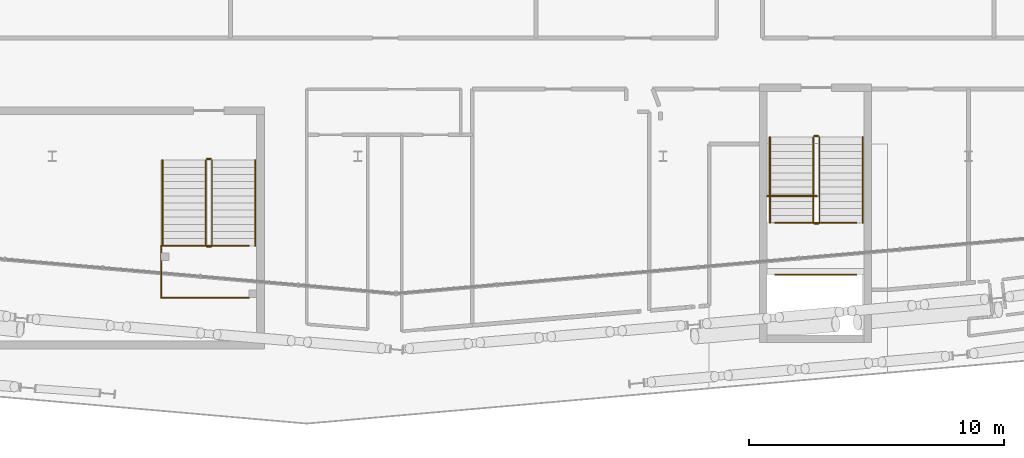
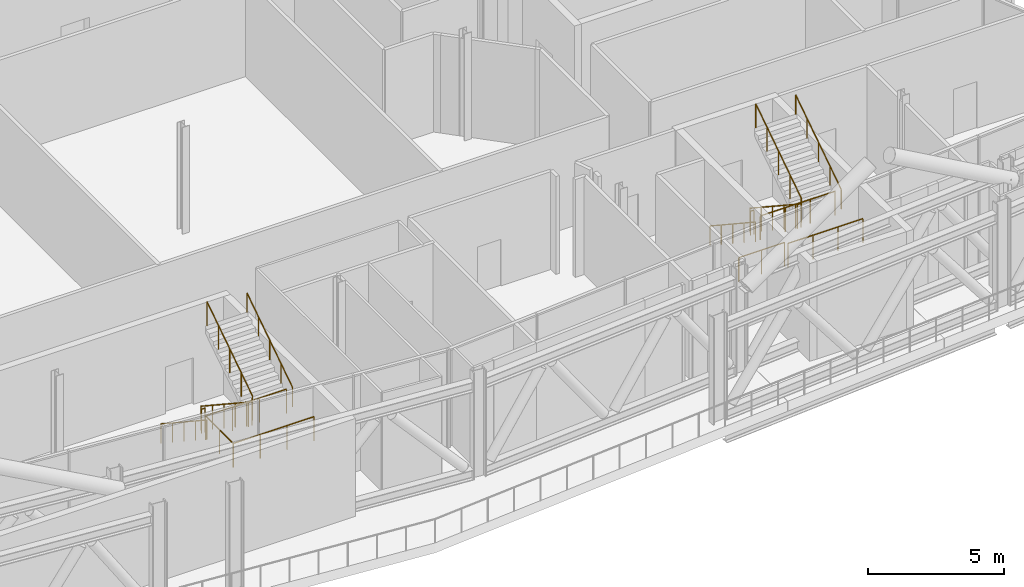
# One storey, part 31 of 35: 14 railings.
"""IFC4 building model written with IfcOpenShell, lengths in metres."""

import ifcopenshell
import ifcopenshell.guid

model = None  # the IFC model being written
_history = None  # IfcOwnerHistory: only IFC2X3 demands one
_inside = {}  # id of a spatial element -> (the spatial element, [elements in it])
_under = {}  # id of a project, library or spatial element -> (it, [spatial elements below it])
_declared = {}  # id of a project -> (the project, [libraries it declares])
_typed = {}  # id of a type object -> (the type object, [elements of that type])
_made_of = {}  # id of a material, layer set ... -> (it, [elements and type objects made of it])


def new_model(schema):
    """Start an empty IFC model of exactly this schema.

    Asked for "IFC4X3", IfcOpenShell would pick the latest addendum, in which some entities
    have other attributes; the version numbers below select the first issue.
    IFC2X3 requires an IfcOwnerHistory on every rooted entity: one is made here for all.
    """
    global model, _history
    if schema == "IFC4X3":
        model = ifcopenshell.file(schema_version=(4, 3, 0, 0))
    else:
        model = ifcopenshell.file(schema=schema)
    _inside.clear()
    _under.clear()
    _declared.clear()
    _typed.clear()
    _made_of.clear()
    _history = None
    if model.schema == "IFC2X3":
        org = make("IfcOrganization", Name="unknown")
        user = make(
            "IfcPersonAndOrganization",
            ThePerson=make("IfcPerson", FamilyName="unknown"),
            TheOrganization=org,
        )
        app = make(
            "IfcApplication",
            ApplicationDeveloper=org,
            Version="unknown",
            ApplicationFullName="unknown",
            ApplicationIdentifier="unknown",
        )
        _history = make(
            "IfcOwnerHistory",
            OwningUser=user,
            OwningApplication=app,
            ChangeAction="ADDED",
            CreationDate=0,
        )
    return model


def make(cls, **values):
    """One entity of the class cls with the attributes given. An attribute that is None is left unset."""
    return model.create_entity(
        cls, **{name: value for name, value in values.items() if value is not None}
    )


def rooted(cls, **values):
    """An entity with a GlobalId (a new one), such as an element, a storey or a relation."""
    return make(cls, GlobalId=ifcopenshell.guid.new(), OwnerHistory=_history, **values)


def si_unit(unit_type, name, prefix=None):
    """IfcSIUnit, for example si_unit("LENGTHUNIT", "METRE", prefix="MILLI")."""
    return make("IfcSIUnit", UnitType=unit_type, Prefix=prefix, Name=name)


def assignment(units):
    """IfcUnitAssignment: the units of a project."""
    return None if units is None else make("IfcUnitAssignment", Units=units)


def point(xyz):
    """IfcCartesianPoint."""
    return None if xyz is None else make("IfcCartesianPoint", Coordinates=xyz)


def direction(xyz):
    """IfcDirection."""
    return None if xyz is None else make("IfcDirection", DirectionRatios=xyz)


def frame(location, z_axis=None, x_axis=None):
    """IfcAxis2Placement3D, a coordinate frame: its origin and axes. An axis left out is left unset."""
    return make(
        "IfcAxis2Placement3D",
        Location=point(location),
        Axis=direction(z_axis),
        RefDirection=direction(x_axis),
    )


def frame_2d(location, x_axis=None):
    """IfcAxis2Placement2D, a coordinate frame in the plane: its origin and x axis."""
    return make(
        "IfcAxis2Placement2D", Location=point(location), RefDirection=direction(x_axis)
    )


def origin():
    """The frame at (0, 0, 0) with its axes left unset."""
    return frame((0.0, 0.0, 0.0))


def origin_2d():
    """The frame at (0, 0) in the plane with its x axis left unset."""
    return frame_2d((0.0, 0.0))


def place(relative_to, where):
    """IfcLocalPlacement: puts the frame where relative to a parent placement (None: the world)."""
    return make(
        "IfcLocalPlacement", PlacementRelTo=relative_to, RelativePlacement=where
    )


def context(
    kind, dimensions, precision=None, world=None, true_north=None, identifier=None
):
    """IfcGeometricRepresentationContext, for example the 3D "Model" context."""
    return make(
        "IfcGeometricRepresentationContext",
        ContextIdentifier=identifier,
        ContextType=kind,
        CoordinateSpaceDimension=dimensions,
        Precision=precision,
        WorldCoordinateSystem=world,
        TrueNorth=true_north,
    )


def subcontext(parent, identifier, kind, view, scale=None):
    """IfcGeometricRepresentationSubContext, for example "Body" below "Model"."""
    return make(
        "IfcGeometricRepresentationSubContext",
        ContextIdentifier=identifier,
        ContextType=kind,
        ParentContext=parent,
        TargetScale=scale,
        TargetView=view,
    )


def project(units=None, contexts=None):
    """IfcProject with its units and contexts."""
    return rooted(
        "IfcProject",
        Name="project",
        RepresentationContexts=contexts,
        UnitsInContext=assignment(units),
    )


def spatial(cls, under=None, at=None, **own):
    """A site, building, storey or space (cls), placed at a placement, below another one or the project."""
    s = rooted(cls, ObjectPlacement=at, **own)
    if under is not None:
        _under.setdefault(under.id(), (under, []))[1].append(s)
    return s


def profile(cls, at=None, kind="AREA", **sizes):
    """A parametric profile (cls). Its sizes go by their IFC names, for example OverallWidth=200.0."""
    return make(cls, ProfileType=kind, Position=at, **sizes)


def circle(**sizes):
    """IfcCircleProfileDef."""
    return profile("IfcCircleProfileDef", **sizes)


def extrude(swept, where, along, depth):
    """IfcExtrudedAreaSolid: the profile swept, set in the frame where, extruded along a direction by depth."""
    return make(
        "IfcExtrudedAreaSolid",
        SweptArea=swept,
        Position=where,
        ExtrudedDirection=direction(along),
        Depth=depth,
    )


def shape(context_of_items, identifier, shape_type, items):
    """IfcShapeRepresentation: the items that make up one representation, for example the "Body"."""
    return make(
        "IfcShapeRepresentation",
        ContextOfItems=context_of_items,
        RepresentationIdentifier=identifier,
        RepresentationType=shape_type,
        Items=items,
    )


def material(Name=None, Category=None):
    """IfcMaterial."""
    return make("IfcMaterial", Name=Name, Category=Category)


def made_of(thing, what):
    """Note that an element or type object is made of a material, layer set ...; save() writes the relation."""
    if what is not None:
        _made_of.setdefault(what.id(), (what, []))[1].append(thing)
    return thing


def type_object(cls, material=None, **own):
    """A type object (cls), such as IfcWallType, which elements share."""
    return made_of(rooted(cls, **own), material)


def element(
    cls,
    number,
    at=None,
    inside=None,
    cuts=None,
    type_object=None,
    material=None,
    context=None,
    identifier="Body",
    shape_type=None,
    held_by="IfcProductDefinitionShape",
    body=None,
    shapes=None,
    **own,
):
    """One element of the class cls, such as IfcWall. Its Tag is "e" and its number.

    at: its placement. inside: the storey or other place that contains it. cuts: it is an
    opening in that element (IfcRelVoidsElement). A single representation is given by context,
    identifier, shape_type and body (its items); several are given by shapes. held_by: the class
    of the entity that holds the representations. save() writes the other relations.
    """
    e = rooted(cls, Tag="e%d" % number, ObjectPlacement=at, **own)
    if body is not None:
        shapes = [shape(context, identifier, shape_type, body)]
    if shapes is not None:
        e.Representation = make(held_by, Representations=shapes)
    if inside is not None:
        _inside.setdefault(inside.id(), (inside, []))[1].append(e)
    if cuts is not None:
        rooted(
            "IfcRelVoidsElement", RelatingBuildingElement=cuts, RelatedOpeningElement=e
        )
    if type_object is not None:
        _typed.setdefault(type_object.id(), (type_object, []))[1].append(e)
    return made_of(e, material)


def aggregate(whole, parts):
    """IfcRelAggregates: a whole, such as a stair, and the parts it consists of."""
    return rooted("IfcRelAggregates", RelatingObject=whole, RelatedObjects=parts)


def save(model, path):
    """Write the relations noted so far, then the file.

    IfcRelAggregates (storeys below a building ...), IfcRelContainedInSpatialStructure (elements
    in a storey), IfcRelDefinesByType, IfcRelAssociatesMaterial and IfcRelDeclares: one each for
    every whole, place, type object, material and project.
    """
    for whole, parts in _under.values():
        aggregate(whole, parts)
    for where, things in _inside.values():
        rooted(
            "IfcRelContainedInSpatialStructure",
            RelatedElements=things,
            RelatingStructure=where,
        )
    for kind, things in _typed.values():
        rooted("IfcRelDefinesByType", RelatedObjects=things, RelatingType=kind)
    for what, things in _made_of.values():
        rooted("IfcRelAssociatesMaterial", RelatedObjects=things, RelatingMaterial=what)
    for by, libraries in _declared.values():
        rooted("IfcRelDeclares", RelatingContext=by, RelatedDefinitions=libraries)
    model.write(path)


model = new_model("IFC4")

# Units and contexts
model_context = context("Model", 3, precision=1e-05, world=origin(), true_north=direction((0.0, 1.0)))
body_context = subcontext(model_context, "Body", "Model", "MODEL_VIEW")
ifc_project = project(units=[si_unit("LENGTHUNIT", "METRE"), si_unit("AREAUNIT", "SQUARE_METRE"), si_unit("VOLUMEUNIT", "CUBIC_METRE"), si_unit("PLANEANGLEUNIT", "RADIAN"), si_unit("MASSUNIT", "GRAM", prefix="KILO")], contexts=[model_context])

# Site, building, storey
site_placement = place(None, origin())
site = spatial("IfcSite", under=ifc_project, at=site_placement, CompositionType="ELEMENT")
building_placement = place(site_placement, origin())
building = spatial("IfcBuilding", under=site, at=building_placement, Name="Wharfspan Tower", CompositionType="ELEMENT")
storey_placement = place(building_placement, frame((0.0, 0.0, 202.300049)))
storey = spatial("IfcBuildingStorey", under=building, at=storey_placement, Name="L50", CompositionType="ELEMENT", Elevation=202.300049)

# Railings
ifc_material = material(Name="Steel S355J2", Category="steel")
railing_type_1 = type_object("IfcRailingType", Name="Stair guard 1100", PredefinedType="GUARDRAIL", material=ifc_material)
railing_1_placement = place(storey_placement, frame((40.2771, 7.983154, 2.399902)))
element("IfcRailing", 1, at=railing_1_placement, inside=storey, type_object=railing_type_1, Name="L50 ST4 band guard 1", PredefinedType="GUARDRAIL", context=body_context, shape_type="SweptSolid", body=[
    extrude(circle(Radius=0.023926, at=origin_2d()), frame((0.0, 0.0, 1.076172), z_axis=(0.0, -1.0, 0.0), x_axis=(1.0, 0.0, 0.0)), (0.0, 0.0, 1.0), 2.040039),
    extrude(circle(Radius=0.020996, at=origin_2d()), origin(), (0.0, 0.0, 1.0), 1.052002),
    extrude(circle(Radius=0.020996, at=origin_2d()), frame((0.0, -1.02002, 0.0)), (0.0, 0.0, 1.0), 1.052002),
    extrude(circle(Radius=0.020996, at=origin_2d()), frame((0.0, -2.040039, 0.0)), (0.0, 0.0, 1.0), 1.052002),
])
railing_2_placement = place(storey_placement, frame((40.2771, 5.943115, 2.399902)))
element("IfcRailing", 2, at=railing_2_placement, inside=storey, type_object=railing_type_1, Name="L50 ST4 band guard 2", PredefinedType="GUARDRAIL", context=body_context, shape_type="SweptSolid", body=[
    extrude(circle(Radius=0.023926, at=origin_2d()), frame((0.0, 0.0, 1.076172), z_axis=(1.0, 0.0, 0.0), x_axis=(0.0, 1.0, 0.0)), (0.0, 0.0, 1.0), 3.439941),
    extrude(circle(Radius=0.020996, at=origin_2d()), origin(), (0.0, 0.0, 1.0), 1.052002),
    extrude(circle(Radius=0.020996, at=origin_2d()), frame((1.146729, 0.0, 0.0)), (0.0, 0.0, 1.0), 1.052002),
    extrude(circle(Radius=0.020996, at=origin_2d()), frame((2.293213, 0.0, 0.0)), (0.0, 0.0, 1.0), 1.052002),
    extrude(circle(Radius=0.020996, at=origin_2d()), frame((3.439941, 0.0, 0.0)), (0.0, 0.0, 1.0), 1.052002),
])
railing_3_placement = place(storey_placement, frame((43.717041, 7.983154, 2.399902)))
element("IfcRailing", 3, at=railing_3_placement, inside=storey, type_object=railing_type_1, Name="L50 ST4 band guard 3", PredefinedType="GUARDRAIL", context=body_context, shape_type="SweptSolid", body=[
    extrude(circle(Radius=0.023926, at=origin_2d()), frame((0.0, 0.0, 1.076172), z_axis=(-1.0, 0.0, 0.0), x_axis=(0.0, -1.0, 0.0)), (0.0, 0.0, 1.0), 3.439941),
    extrude(circle(Radius=0.020996, at=origin_2d()), origin(), (0.0, 0.0, 1.0), 1.052002),
    extrude(circle(Radius=0.020996, at=origin_2d()), frame((-1.146729, 0.0, 0.0)), (0.0, 0.0, 1.0), 1.052002),
    extrude(circle(Radius=0.020996, at=origin_2d()), frame((-2.293213, 0.0, 0.0)), (0.0, 0.0, 1.0), 1.052002),
    extrude(circle(Radius=0.020996, at=origin_2d()), frame((-3.439941, 0.0, 0.0)), (0.0, 0.0, 1.0), 1.052002),
])
railing_4_placement = place(storey_placement, frame((64.396484, 6.846191, 2.399902)))
element("IfcRailing", 4, at=railing_4_placement, inside=storey, type_object=railing_type_1, Name="L50 ST5 band guard 1", PredefinedType="GUARDRAIL", context=body_context, shape_type="SweptSolid", body=[
    extrude(circle(Radius=0.023926, at=origin_2d()), frame((0.0, 0.0, 1.076172), z_axis=(1.0, 0.0, 0.0), x_axis=(0.0, 1.0, 0.0)), (0.0, 0.0, 1.0), 3.187256),
    extrude(circle(Radius=0.020996, at=origin_2d()), origin(), (0.0, 0.0, 1.0), 1.052002),
    extrude(circle(Radius=0.020996, at=origin_2d()), frame((1.0625, 0.0, 0.0)), (0.0, 0.0, 1.0), 1.052002),
    extrude(circle(Radius=0.020996, at=origin_2d()), frame((2.124756, 0.0, 0.0)), (0.0, 0.0, 1.0), 1.052002),
    extrude(circle(Radius=0.020996, at=origin_2d()), frame((3.187256, 0.0, 0.0)), (0.0, 0.0, 1.0), 1.052002),
])
railing_5_placement = place(storey_placement, frame((67.58374, 8.88623, 2.399902)))
element("IfcRailing", 5, at=railing_5_placement, inside=storey, type_object=railing_type_1, Name="L50 ST5 band guard 2", PredefinedType="GUARDRAIL", context=body_context, shape_type="SweptSolid", body=[
    extrude(circle(Radius=0.023926, at=origin_2d()), frame((0.0, 0.0, 1.076172), z_axis=(-1.0, 0.0, 0.0), x_axis=(0.0, -1.0, 0.0)), (0.0, 0.0, 1.0), 3.187256),
    extrude(circle(Radius=0.020996, at=origin_2d()), origin(), (0.0, 0.0, 1.0), 1.052002),
    extrude(circle(Radius=0.020996, at=origin_2d()), frame((-1.0625, 0.0, 0.0)), (0.0, 0.0, 1.0), 1.052002),
    extrude(circle(Radius=0.020996, at=origin_2d()), frame((-2.124756, 0.0, 0.0)), (0.0, 0.0, 1.0), 1.052002),
    extrude(circle(Radius=0.020996, at=origin_2d()), frame((-3.187256, 0.0, 0.0)), (0.0, 0.0, 1.0), 1.052002),
])
railing_6_placement = place(storey_placement, frame((64.086426, 9.933594, 0.0)))
element("IfcRailing", 6, at=railing_6_placement, inside=storey, type_object=railing_type_1, Name="L50 ST5 top well guard 1", PredefinedType="GUARDRAIL", context=body_context, shape_type="SweptSolid", body=[
    extrude(circle(Radius=0.023926, at=origin_2d()), frame((0.0, 0.0, 1.076172), z_axis=(1.0, 0.0, 0.0), x_axis=(0.0, 1.0, 0.0)), (0.0, 0.0, 1.0), 1.949951),
    extrude(circle(Radius=0.020996, at=origin_2d()), origin(), (0.0, 0.0, 1.0), 1.052002),
    extrude(circle(Radius=0.020996, at=origin_2d()), frame((0.975098, 0.0, 0.0)), (0.0, 0.0, 1.0), 1.052002),
    extrude(circle(Radius=0.020996, at=origin_2d()), frame((1.949951, 0.0, 0.0)), (0.0, 0.0, 1.0), 1.052002),
])
railing_7_placement = place(storey_placement, frame((42.0271, 11.343262, 0.18457)))
element("IfcRailing", 7, at=railing_7_placement, inside=storey, type_object=railing_type_1, Name="L50 ST4 stair guard 1", PredefinedType="GUARDRAIL", context=body_context, shape_type="SweptSolid", body=[
    extrude(circle(Radius=0.023926, at=origin_2d()), frame((0.0, 0.0, 1.076172), z_axis=(0.0, -0.834876, 0.550437), x_axis=(1.0, 0.0, 0.0)), (0.0, 0.0, 1.0), 4.024658),
    extrude(circle(Radius=0.023926, at=origin_2d()), frame((0.0, -3.360107, 3.291504), z_axis=(0.707107, -0.707107, 0.0), x_axis=(0.707107, 0.707107, 0.0)), (0.0, 0.0, 1.0), 0.070801),
    extrude(circle(Radius=0.023926, at=origin_2d()), frame((0.050049, -3.410156, 3.291504), z_axis=(1.0, 0.0, 0.0), x_axis=(0.0, 1.0, 0.0)), (0.0, 0.0, 1.0), 0.149902),
    extrude(circle(Radius=0.023926, at=origin_2d()), frame((0.199951, -3.410156, 3.291504), z_axis=(0.253186, 0.253186, 0.933699), x_axis=(-0.707107, 0.707107, 0.0)), (0.0, 0.0, 1.0), 0.197754),
    extrude(circle(Radius=0.023926, at=origin_2d()), frame((0.25, -3.360107, 3.476074), z_axis=(0.0, 0.834849, 0.55048), x_axis=(-1.0, 0.0, 0.0)), (0.0, 0.0, 1.0), 4.024902),
    extrude(circle(Radius=0.020996, at=origin_2d()), origin(), (0.0, 0.0, 1.0), 1.052002),
    extrude(circle(Radius=0.020996, at=origin_2d()), frame((0.0, -0.840088, 0.553711)), (0.0, 0.0, 1.0), 1.052002),
    extrude(circle(Radius=0.020996, at=origin_2d()), frame((0.0, -1.680176, 1.107666)), (0.0, 0.0, 1.0), 1.052002),
    extrude(circle(Radius=0.020996, at=origin_2d()), frame((0.0, -2.52002, 1.661621)), (0.0, 0.0, 1.0), 1.052002),
    extrude(circle(Radius=0.020996, at=origin_2d()), frame((0.0, -3.360107, 2.215332)), (0.0, 0.0, 1.0), 1.052002),
    extrude(circle(Radius=0.020996, at=origin_2d()), frame((0.050049, -3.410156, 2.215332)), (0.0, 0.0, 1.0), 1.052002),
    extrude(circle(Radius=0.020996, at=origin_2d()), frame((0.199951, -3.410156, 2.215332)), (0.0, 0.0, 1.0), 1.052002),
    extrude(circle(Radius=0.020996, at=origin_2d()), frame((0.25, -3.360107, 2.399902)), (0.0, 0.0, 1.0), 1.052002),
    extrude(circle(Radius=0.020996, at=origin_2d()), frame((0.25, -2.52002, 2.953857)), (0.0, 0.0, 1.0), 1.052002),
    extrude(circle(Radius=0.020996, at=origin_2d()), frame((0.25, -1.680176, 3.507812)), (0.0, 0.0, 1.0), 1.052002),
    extrude(circle(Radius=0.020996, at=origin_2d()), frame((0.25, -0.840088, 4.061523)), (0.0, 0.0, 1.0), 1.052002),
    extrude(circle(Radius=0.020996, at=origin_2d()), frame((0.25, 0.0, 4.615479)), (0.0, 0.0, 1.0), 1.052002),
])
railing_8_placement = place(storey_placement, frame((42.077148, 11.393311, 0.0)))
element("IfcRailing", 8, at=railing_8_placement, inside=storey, type_object=railing_type_1, Name="L50 ST4 stair guard 2", PredefinedType="GUARDRAIL", context=body_context, shape_type="SweptSolid", body=[
    extrude(circle(Radius=0.023926, at=origin_2d()), frame((0.0, 0.0, 1.076172), z_axis=(1.0, 0.0, 0.0), x_axis=(0.0, 1.0, 0.0)), (0.0, 0.0, 1.0), 0.149902),
    extrude(circle(Radius=0.020996, at=origin_2d()), origin(), (0.0, 0.0, 1.0), 1.052002),
    extrude(circle(Radius=0.020996, at=origin_2d()), frame((0.149902, 0.0, 0.0)), (0.0, 0.0, 1.0), 1.052002),
])
railing_9_placement = place(storey_placement, frame((65.893799, 12.246094, 0.18457)))
element("IfcRailing", 9, at=railing_9_placement, inside=storey, type_object=railing_type_1, Name="L50 ST5 stair guard 1", PredefinedType="GUARDRAIL", context=body_context, shape_type="SweptSolid", body=[
    extrude(circle(Radius=0.023926, at=origin_2d()), frame((0.0, 0.0, 1.076172), z_axis=(0.0, -0.834858, 0.550465), x_axis=(1.0, 0.0, 0.0)), (0.0, 0.0, 1.0), 4.024414),
    extrude(circle(Radius=0.023926, at=origin_2d()), frame((0.0, -3.359863, 3.291504), z_axis=(0.707107, -0.707107, 0.0), x_axis=(0.707107, 0.707107, 0.0)), (0.0, 0.0, 1.0), 0.070801),
    extrude(circle(Radius=0.023926, at=origin_2d()), frame((0.050049, -3.409912, 3.291504), z_axis=(1.0, 0.0, 0.0), x_axis=(0.0, 1.0, 0.0)), (0.0, 0.0, 1.0), 0.149902),
    extrude(circle(Radius=0.023926, at=origin_2d()), frame((0.199951, -3.409912, 3.291504), z_axis=(0.253186, 0.253186, 0.933699), x_axis=(-0.707107, 0.707107, 0.0)), (0.0, 0.0, 1.0), 0.197754),
    extrude(circle(Radius=0.023926, at=origin_2d()), frame((0.25, -3.359863, 3.476074), z_axis=(0.0, 0.83483, 0.550508), x_axis=(-1.0, 0.0, 0.0)), (0.0, 0.0, 1.0), 4.024658),
    extrude(circle(Radius=0.020996, at=origin_2d()), origin(), (0.0, 0.0, 1.0), 1.052002),
    extrude(circle(Radius=0.020996, at=origin_2d()), frame((0.0, -0.839844, 0.553711)), (0.0, 0.0, 1.0), 1.052002),
    extrude(circle(Radius=0.020996, at=origin_2d()), frame((0.0, -1.679932, 1.107666)), (0.0, 0.0, 1.0), 1.052002),
    extrude(circle(Radius=0.020996, at=origin_2d()), frame((0.0, -2.52002, 1.661621)), (0.0, 0.0, 1.0), 1.052002),
    extrude(circle(Radius=0.020996, at=origin_2d()), frame((0.0, -3.359863, 2.215332)), (0.0, 0.0, 1.0), 1.052002),
    extrude(circle(Radius=0.020996, at=origin_2d()), frame((0.050049, -3.409912, 2.215332)), (0.0, 0.0, 1.0), 1.052002),
    extrude(circle(Radius=0.020996, at=origin_2d()), frame((0.199951, -3.409912, 2.215332)), (0.0, 0.0, 1.0), 1.052002),
    extrude(circle(Radius=0.020996, at=origin_2d()), frame((0.25, -3.359863, 2.399902)), (0.0, 0.0, 1.0), 1.052002),
    extrude(circle(Radius=0.020996, at=origin_2d()), frame((0.25, -2.52002, 2.953857)), (0.0, 0.0, 1.0), 1.052002),
    extrude(circle(Radius=0.020996, at=origin_2d()), frame((0.25, -1.679932, 3.507812)), (0.0, 0.0, 1.0), 1.052002),
    extrude(circle(Radius=0.020996, at=origin_2d()), frame((0.25, -0.839844, 4.061523)), (0.0, 0.0, 1.0), 1.052002),
    extrude(circle(Radius=0.020996, at=origin_2d()), frame((0.25, 0.0, 4.615479)), (0.0, 0.0, 1.0), 1.052002),
])
railing_10_placement = place(storey_placement, frame((65.943848, 12.296143, 0.0)))
element("IfcRailing", 10, at=railing_10_placement, inside=storey, type_object=railing_type_1, Name="L50 ST5 stair guard 2", PredefinedType="GUARDRAIL", context=body_context, shape_type="SweptSolid", body=[
    extrude(circle(Radius=0.023926, at=origin_2d()), frame((0.0, 0.0, 1.076172), z_axis=(1.0, 0.0, 0.0), x_axis=(0.0, 1.0, 0.0)), (0.0, 0.0, 1.0), 0.149902),
    extrude(circle(Radius=0.020996, at=origin_2d()), origin(), (0.0, 0.0, 1.0), 1.052002),
    extrude(circle(Radius=0.020996, at=origin_2d()), frame((0.149902, 0.0, 0.0)), (0.0, 0.0, 1.0), 1.052002),
])
railing_type_2 = type_object("IfcRailingType", Name="Stair handrail 900", PredefinedType="HANDRAIL", material=ifc_material)
railing_11_placement = place(storey_placement, frame((40.327148, 11.343262, 0.18457)))
element("IfcRailing", 11, at=railing_11_placement, inside=storey, type_object=railing_type_2, Name="L50 ST4 stair handrail 1", PredefinedType="HANDRAIL", context=body_context, shape_type="SweptSolid", body=[
    extrude(circle(Radius=0.023926, at=origin_2d()), frame((0.0, 0.0, 0.875977), z_axis=(0.0, -0.834876, 0.550437), x_axis=(1.0, 0.0, 0.0)), (0.0, 0.0, 1.0), 4.024658),
    extrude(circle(Radius=0.020996, at=origin_2d()), origin(), (0.0, 0.0, 1.0), 0.851807),
    extrude(circle(Radius=0.020996, at=origin_2d()), frame((0.0, -0.840088, 0.553711)), (0.0, 0.0, 1.0), 0.851807),
    extrude(circle(Radius=0.020996, at=origin_2d()), frame((0.0, -1.680176, 1.107666)), (0.0, 0.0, 1.0), 0.851807),
    extrude(circle(Radius=0.020996, at=origin_2d()), frame((0.0, -2.52002, 1.661621)), (0.0, 0.0, 1.0), 0.851807),
    extrude(circle(Radius=0.020996, at=origin_2d()), frame((0.0, -3.360107, 2.215332)), (0.0, 0.0, 1.0), 0.851807),
])
railing_12_placement = place(storey_placement, frame((43.977051, 7.983154, 2.584473)))
element("IfcRailing", 12, at=railing_12_placement, inside=storey, type_object=railing_type_2, Name="L50 ST4 stair handrail 2", PredefinedType="HANDRAIL", context=body_context, shape_type="SweptSolid", body=[
    extrude(circle(Radius=0.023926, at=origin_2d()), frame((0.0, 0.0, 0.875977), z_axis=(0.0, 0.834849, 0.55048), x_axis=(-1.0, 0.0, 0.0)), (0.0, 0.0, 1.0), 4.024902),
    extrude(circle(Radius=0.020996, at=origin_2d()), origin(), (0.0, 0.0, 1.0), 0.851807),
    extrude(circle(Radius=0.020996, at=origin_2d()), frame((0.0, 0.840088, 0.553955)), (0.0, 0.0, 1.0), 0.851807),
    extrude(circle(Radius=0.020996, at=origin_2d()), frame((0.0, 1.680176, 1.10791)), (0.0, 0.0, 1.0), 0.851807),
    extrude(circle(Radius=0.020996, at=origin_2d()), frame((0.0, 2.52002, 1.661621)), (0.0, 0.0, 1.0), 0.851807),
    extrude(circle(Radius=0.020996, at=origin_2d()), frame((0.0, 3.360107, 2.215576)), (0.0, 0.0, 1.0), 0.851807),
])
railing_13_placement = place(storey_placement, frame((64.193848, 12.246094, 0.18457)))
element("IfcRailing", 13, at=railing_13_placement, inside=storey, type_object=railing_type_2, Name="L50 ST5 stair handrail 1", PredefinedType="HANDRAIL", context=body_context, shape_type="SweptSolid", body=[
    extrude(circle(Radius=0.023926, at=origin_2d()), frame((0.0, 0.0, 0.875977), z_axis=(0.0, -0.834858, 0.550465), x_axis=(1.0, 0.0, 0.0)), (0.0, 0.0, 1.0), 4.024414),
    extrude(circle(Radius=0.020996, at=origin_2d()), origin(), (0.0, 0.0, 1.0), 0.851807),
    extrude(circle(Radius=0.020996, at=origin_2d()), frame((0.0, -0.839844, 0.553711)), (0.0, 0.0, 1.0), 0.851807),
    extrude(circle(Radius=0.020996, at=origin_2d()), frame((0.0, -1.679932, 1.107666)), (0.0, 0.0, 1.0), 0.851807),
    extrude(circle(Radius=0.020996, at=origin_2d()), frame((0.0, -2.52002, 1.661621)), (0.0, 0.0, 1.0), 0.851807),
    extrude(circle(Radius=0.020996, at=origin_2d()), frame((0.0, -3.359863, 2.215332)), (0.0, 0.0, 1.0), 0.851807),
])
railing_14_placement = place(storey_placement, frame((67.84375, 8.88623, 2.584473)))
element("IfcRailing", 14, at=railing_14_placement, inside=storey, type_object=railing_type_2, Name="L50 ST5 stair handrail 2", PredefinedType="HANDRAIL", context=body_context, shape_type="SweptSolid", body=[
    extrude(circle(Radius=0.023926, at=origin_2d()), frame((0.0, 0.0, 0.875977), z_axis=(0.0, 0.83483, 0.550508), x_axis=(-1.0, 0.0, 0.0)), (0.0, 0.0, 1.0), 4.024658),
    extrude(circle(Radius=0.020996, at=origin_2d()), origin(), (0.0, 0.0, 1.0), 0.851807),
    extrude(circle(Radius=0.020996, at=origin_2d()), frame((0.0, 0.839844, 0.553955)), (0.0, 0.0, 1.0), 0.851807),
    extrude(circle(Radius=0.020996, at=origin_2d()), frame((0.0, 1.679932, 1.10791)), (0.0, 0.0, 1.0), 0.851807),
    extrude(circle(Radius=0.020996, at=origin_2d()), frame((0.0, 2.52002, 1.661621)), (0.0, 0.0, 1.0), 0.851807),
    extrude(circle(Radius=0.020996, at=origin_2d()), frame((0.0, 3.359863, 2.215576)), (0.0, 0.0, 1.0), 0.851807),
])

save(model, "model.ifc")
